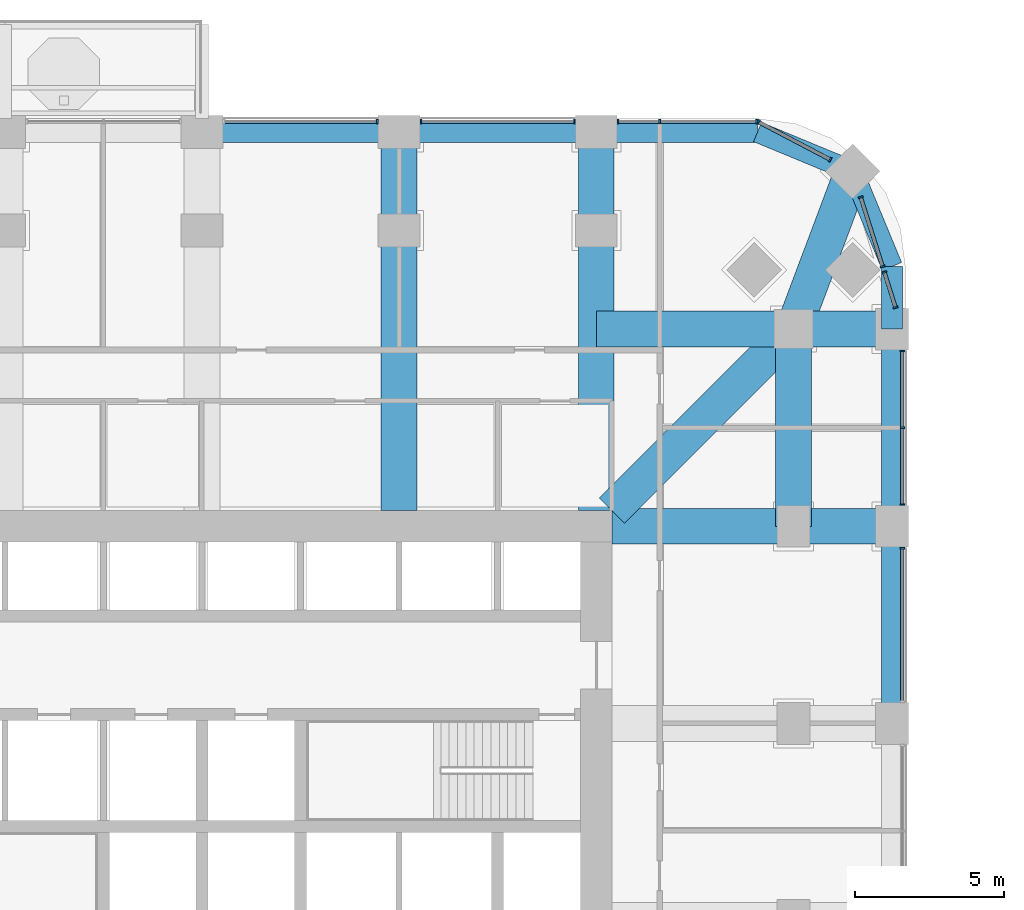
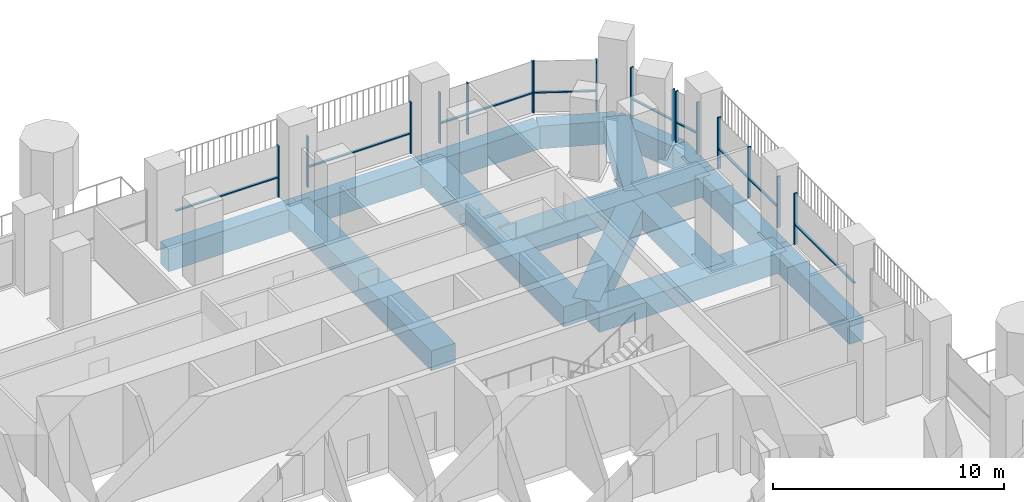
# One storey, part 7 of 21: 26 members, 16 beams, 8 elements without a shape of their own.
"""IFC4 building model written with IfcOpenShell, lengths in metres."""

from ifc_helpers import new_model, si_unit, direction, frame, origin, origin_2d, place, context, subcontext, project, spatial, rectangle, extrude, material, material_profile, profile_set, type_object, element, aggregate, save


model = new_model("IFC4")

# Units and contexts
model_context = context("Model", 3, precision=1e-05, world=origin(), true_north=direction((0.0, 1.0)))
body_context = subcontext(model_context, "Body", "Model", "MODEL_VIEW")
ifc_project = project(units=[si_unit("LENGTHUNIT", "METRE"), si_unit("AREAUNIT", "SQUARE_METRE"), si_unit("VOLUMEUNIT", "CUBIC_METRE"), si_unit("PLANEANGLEUNIT", "RADIAN"), si_unit("MASSUNIT", "GRAM", prefix="KILO")], contexts=[model_context])

# Site, building, storey
site_placement = place(None, origin())
site = spatial("IfcSite", under=ifc_project, at=site_placement, CompositionType="ELEMENT")
building_placement = place(site_placement, origin())
building = spatial("IfcBuilding", under=site, at=building_placement, Name="Cobogo Forest Laboratory Tower", CompositionType="ELEMENT")
storey_placement = place(building_placement, frame((0.0, 0.0, 115.800048828125)))
storey = spatial("IfcBuildingStorey", under=building, at=storey_placement, Name="L26", CompositionType="ELEMENT", Elevation=115.800048828125)

# Beams
ifc_material_1 = material(Name="Concrete HA-40 (C40/50)", Category="concrete")
ifc_material_profile_1 = material_profile(ifc_material_1, rectangle(XDim=1.199951171875, YDim=1.050048828125, at=origin_2d()), Name="RC 1200x1050")
ifc_profile_set_1 = profile_set([ifc_material_profile_1], Name="Concrete HA-40 (C40/50)")
beam_type_1 = type_object("IfcBeamType", Name="Laboratory floor wide beam 1200x1050", PredefinedType="BEAM", material=ifc_profile_set_1)
for number, where, z_axis, x_axis, name in (
    (1, (33.0, 33.52490234375, -0.824951171875), (0.0, 1.0, 0.0), (-1.0, 0.0, 0.0), "RB1 R-6-N L26"),
    (2, (39.60009765625, 33.52490234375, -0.824951171875), (0.0, 1.0, 0.0), (-1.0, 0.0, 0.0), "RB1 R-7-N L26"),
):
    element("IfcBeam", number, at=place(storey_placement, frame(where, z_axis=z_axis, x_axis=x_axis)), inside=storey, type_object=beam_type_1, Name=name, PredefinedType="BEAM", context=body_context, shape_type="SweptSolid", body=[
        extrude(rectangle(XDim=1.199951171875, YDim=1.050048828125, at=origin_2d()), origin(), (0.0, 0.0, 1.0), 12.675048828125),
    ])
beam_1_placement = place(storey_placement, frame((40.125, 33.0, -0.824951171875), z_axis=(1.0, 0.0, 0.0), x_axis=(0.0, 1.0, 0.0)))
element("IfcBeam", 3, at=beam_1_placement, inside=storey, type_object=beam_type_1, Name="RB1 R-F-E L26", PredefinedType="BEAM", context=body_context, shape_type="SweptSolid", body=[
    extrude(rectangle(XDim=1.199951171875, YDim=1.050048828125, at=origin_2d()), origin(), (0.0, 0.0, 1.0), 9.375),
])
beam_2_placement = place(storey_placement, frame((46.199951171875, 39.60009765625, -0.824951171875), z_axis=(0.0, -1.0, 0.0), x_axis=(1.0, 0.0, 0.0)))
element("IfcBeam", 4, at=beam_2_placement, inside=storey, type_object=beam_type_1, Name="RB1 G-NE-XC L26", PredefinedType="BEAM", context=body_context, shape_type="SweptSolid", body=[
    extrude(rectangle(XDim=1.199951171875, YDim=1.050048828125, at=origin_2d()), origin(), (0.0, 0.0, 1.0), 6.60009765625),
])
beam_3_placement = place(storey_placement, frame((49.5, 39.60009765625, -0.824951171875), z_axis=(-1.0, 0.0, 0.0), x_axis=(0.0, -1.0, 0.0)))
element("IfcBeam", 5, at=beam_3_placement, inside=storey, type_object=beam_type_1, Name="RB1 G-NE-YF L26", PredefinedType="BEAM", context=body_context, shape_type="SweptSolid", body=[
    extrude(rectangle(XDim=1.199951171875, YDim=1.050048828125, at=origin_2d()), origin(), (0.0, 0.0, 1.0), 3.300048828125),
])
beam_4_placement = place(storey_placement, frame((46.199951171875, 39.60009765625, -0.824951171875), z_axis=(-1.0, 0.0, 0.0), x_axis=(0.0, -1.0, 0.0)))
element("IfcBeam", 6, at=beam_4_placement, inside=storey, type_object=beam_type_1, Name="RB1 G-NE-YC L26", PredefinedType="BEAM", context=body_context, shape_type="SweptSolid", body=[
    extrude(rectangle(XDim=1.199951171875, YDim=1.050048828125, at=origin_2d()), origin(), (0.0, 0.0, 1.0), 6.599853515625),
])
beam_5_placement = place(storey_placement, frame((48.181884765625, 44.882080078125, -0.824951171875), z_axis=(-0.351308391925, -0.936259800356, 0.0), x_axis=(0.936259800356, -0.351308391925, 0.0)))
element("IfcBeam", 7, at=beam_5_placement, inside=storey, type_object=beam_type_1, Name="RB1 G-NE-D1 L26", PredefinedType="BEAM", context=body_context, shape_type="SweptSolid", body=[
    extrude(rectangle(XDim=1.199951171875, YDim=1.050048828125, at=origin_2d()), origin(), (0.0, 0.0, 1.0), 5.6416015625),
])
beam_6_placement = place(storey_placement, frame((46.199951171875, 39.60009765625, -0.824951171875), z_axis=(-0.707092572697, -0.70712098939, 0.0), x_axis=(0.70712098939, -0.707092572697, 0.0)))
element("IfcBeam", 8, at=beam_6_placement, inside=storey, type_object=beam_type_1, Name="RB1 G-NE-D2 L26", PredefinedType="BEAM", context=body_context, shape_type="SweptSolid", body=[
    extrude(rectangle(XDim=1.199951171875, YDim=1.050048828125, at=origin_2d()), origin(), (0.0, 0.0, 1.0), 8.591552734375),
])

# Curtain wall, member
ifc_material_2 = material(Name="Aluminium curtain wall", Category="aluminium")
curtain_wall_type = type_object("IfcCurtainWallType", Name="CW-1 unitised curtain wall, clear glazing, laboratory floors zones A and B", PredefinedType="USERDEFINED", material=ifc_material_2)
curtain_wall_1_placement = place(storey_placement, origin())
curtain_wall_1 = element("IfcCurtainWall", 9, at=curtain_wall_1_placement, inside=storey, type_object=curtain_wall_type, Name="Curtain wall 13 L26", ObjectType="UNITISED CURTAIN WALL", PredefinedType="USERDEFINED")
ifc_material_3 = material(Name="Aluminium mullion", Category="aluminium")
ifc_material_profile_2 = material_profile(ifc_material_3, rectangle(XDim=0.06005859375, YDim=0.159912109375, at=origin_2d()), Name="AL 60x160")
ifc_profile_set_2 = profile_set([ifc_material_profile_2], Name="Aluminium mullion")
member_type_1 = type_object("IfcMemberType", Name="MU-1 aluminium mullion 60x160", PredefinedType="MULLION", material=ifc_profile_set_2)
member_1_placement = place(storey_placement, frame((49.85009765625, 32.27001953125, 0.0), z_axis=(0.0, 0.0, 1.0), x_axis=(0.0, 1.0, 0.0)))
member_1 = element("IfcMember", 10, at=member_1_placement, type_object=member_type_1, Name="CW-1 mullion 2", PredefinedType="MULLION", context=body_context, shape_type="SweptSolid", body=[
    extrude(rectangle(XDim=0.06005859375, YDim=0.159912109375, at=origin_2d()), origin(), (0.0, 0.0, 1.0), 2.699951171875),
])

# Curtain wall, members
curtain_wall_2_placement = place(storey_placement, origin())
curtain_wall_2 = element("IfcCurtainWall", 11, at=curtain_wall_2_placement, inside=storey, type_object=curtain_wall_type, Name="Curtain wall 14 L26", ObjectType="UNITISED CURTAIN WALL", PredefinedType="USERDEFINED")
member_2_placement = place(storey_placement, frame((49.85009765625, 33.72998046875, 0.0), z_axis=(0.0, 0.0, 1.0), x_axis=(0.0, 1.0, 0.0)))
member_2 = element("IfcMember", 12, at=member_2_placement, type_object=member_type_1, Name="CW-1 mullion 1", PredefinedType="MULLION", context=body_context, shape_type="SweptSolid", body=[
    extrude(rectangle(XDim=0.06005859375, YDim=0.159912109375, at=origin_2d()), origin(), (0.0, 0.0, 1.0), 2.699951171875),
])
member_3_placement = place(storey_placement, frame((49.85009765625, 36.300048828125, 0.0), z_axis=(0.0, 0.0, 1.0), x_axis=(0.0, 1.0, 0.0)))
member_3 = element("IfcMember", 13, at=member_3_placement, type_object=member_type_1, Name="CW-1 mullion 2", PredefinedType="MULLION", context=body_context, shape_type="SweptSolid", body=[
    extrude(rectangle(XDim=0.06005859375, YDim=0.159912109375, at=origin_2d()), origin(), (0.0, 0.0, 1.0), 2.699951171875),
])
member_4_placement = place(storey_placement, frame((49.85009765625, 38.8701171875, 0.0), z_axis=(0.0, 0.0, 1.0), x_axis=(0.0, 1.0, 0.0)))
member_4 = element("IfcMember", 14, at=member_4_placement, type_object=member_type_1, Name="CW-1 mullion 3", PredefinedType="MULLION", context=body_context, shape_type="SweptSolid", body=[
    extrude(rectangle(XDim=0.06005859375, YDim=0.159912109375, at=origin_2d()), origin(), (0.0, 0.0, 1.0), 2.699951171875),
])

curtain_wall_3_placement = place(storey_placement, origin())
curtain_wall_3 = element("IfcCurtainWall", 15, at=curtain_wall_3_placement, inside=storey, type_object=curtain_wall_type, Name="Curtain wall 15 L26", ObjectType="UNITISED CURTAIN WALL", PredefinedType="USERDEFINED")
member_5_placement = place(storey_placement, frame((49.619873046875, 40.32861328125, 0.0), z_axis=(0.0, 0.0, 1.0), x_axis=(-0.301135356805, 0.953581405483, 0.0)))
member_5 = element("IfcMember", 16, at=member_5_placement, type_object=member_type_1, Name="CW-1 mullion 1", PredefinedType="MULLION", context=body_context, shape_type="SweptSolid", body=[
    extrude(rectangle(XDim=0.06005859375, YDim=0.159912109375, at=origin_2d()), origin(), (0.0, 0.0, 1.0), 2.699951171875),
])
member_6_placement = place(storey_placement, frame((49.247802734375, 41.507080078125, 0.0), z_axis=(0.0, 0.0, 1.0), x_axis=(-0.301135356805, 0.953581405483, 0.0)))
member_6 = element("IfcMember", 17, at=member_6_placement, type_object=member_type_1, Name="CW-1 mullion 2", PredefinedType="MULLION", context=body_context, shape_type="SweptSolid", body=[
    extrude(rectangle(XDim=0.06005859375, YDim=0.159912109375, at=origin_2d()), origin(), (0.0, 0.0, 1.0), 2.699951171875),
])

curtain_wall_4_placement = place(storey_placement, origin())
curtain_wall_4 = element("IfcCurtainWall", 18, at=curtain_wall_4_placement, inside=storey, type_object=curtain_wall_type, Name="Curtain wall 16 L26", ObjectType="UNITISED CURTAIN WALL", PredefinedType="USERDEFINED")
member_7_placement = place(storey_placement, frame((49.18701171875, 41.69970703125, 0.0), z_axis=(0.0, 0.0, 1.0), x_axis=(-0.301135291996, 0.953581425949, 0.0)))
member_7 = element("IfcMember", 19, at=member_7_placement, type_object=member_type_1, Name="CW-1 mullion 1", PredefinedType="MULLION", context=body_context, shape_type="SweptSolid", body=[
    extrude(rectangle(XDim=0.06005859375, YDim=0.159912109375, at=origin_2d()), origin(), (0.0, 0.0, 1.0), 2.699951171875),
])
member_8_placement = place(storey_placement, frame((48.455810546875, 44.01513671875, 0.0), z_axis=(0.0, 0.0, 1.0), x_axis=(-0.301135291996, 0.953581425949, 0.0)))
member_8 = element("IfcMember", 20, at=member_8_placement, type_object=member_type_1, Name="CW-1 mullion 2", PredefinedType="MULLION", context=body_context, shape_type="SweptSolid", body=[
    extrude(rectangle(XDim=0.06005859375, YDim=0.159912109375, at=origin_2d()), origin(), (0.0, 0.0, 1.0), 2.699951171875),
])

curtain_wall_5_placement = place(storey_placement, origin())
curtain_wall_5 = element("IfcCurtainWall", 21, at=curtain_wall_5_placement, inside=storey, type_object=curtain_wall_type, Name="Curtain wall 17 L26", ObjectType="UNITISED CURTAIN WALL", PredefinedType="USERDEFINED")
member_9_placement = place(storey_placement, frame((47.431640625, 45.275390625, 0.0), z_axis=(0.0, 0.0, 1.0), x_axis=(-0.885686547075, 0.464283685186, 0.0)))
member_9 = element("IfcMember", 22, at=member_9_placement, type_object=member_type_1, Name="CW-1 mullion 1", PredefinedType="MULLION", context=body_context, shape_type="SweptSolid", body=[
    extrude(rectangle(XDim=0.06005859375, YDim=0.159912109375, at=origin_2d()), origin(), (0.0, 0.0, 1.0), 2.699951171875),
])
member_10_placement = place(storey_placement, frame((45.026611328125, 46.5361328125, 0.0), z_axis=(0.0, 0.0, 1.0), x_axis=(-0.885686547075, 0.464283685186, 0.0)))
member_10 = element("IfcMember", 23, at=member_10_placement, type_object=member_type_1, Name="CW-1 mullion 2", PredefinedType="MULLION", context=body_context, shape_type="SweptSolid", body=[
    extrude(rectangle(XDim=0.06005859375, YDim=0.159912109375, at=origin_2d()), origin(), (0.0, 0.0, 1.0), 2.699951171875),
])

curtain_wall_6_placement = place(storey_placement, origin())
curtain_wall_6 = element("IfcCurtainWall", 24, at=curtain_wall_6_placement, inside=storey, type_object=curtain_wall_type, Name="Curtain wall 18 L26", ObjectType="UNITISED CURTAIN WALL", PredefinedType="USERDEFINED")
member_11_placement = place(storey_placement, frame((44.969970703125, 46.550048828125, 0.0), z_axis=(0.0, 0.0, 1.0), x_axis=(-1.0, 0.0, 0.0)))
member_11 = element("IfcMember", 25, at=member_11_placement, type_object=member_type_1, Name="CW-1 mullion 1", PredefinedType="MULLION", context=body_context, shape_type="SweptSolid", body=[
    extrude(rectangle(XDim=0.06005859375, YDim=0.159912109375, at=origin_2d()), origin(), (0.0, 0.0, 1.0), 2.699951171875),
])
member_12_placement = place(storey_placement, frame((41.72509765625, 46.550048828125, 0.0), z_axis=(0.0, 0.0, 1.0), x_axis=(-1.0, 0.0, 0.0)))
member_12 = element("IfcMember", 26, at=member_12_placement, type_object=member_type_1, Name="CW-1 mullion 2", PredefinedType="MULLION", context=body_context, shape_type="SweptSolid", body=[
    extrude(rectangle(XDim=0.06005859375, YDim=0.159912109375, at=origin_2d()), origin(), (0.0, 0.0, 1.0), 2.699951171875),
])
member_13_placement = place(storey_placement, frame((40.330078125, 46.550048828125, 0.0), z_axis=(0.0, 0.0, 1.0), x_axis=(-1.0, 0.0, 0.0)))
member_13 = element("IfcMember", 27, at=member_13_placement, type_object=member_type_1, Name="CW-1 mullion 3", PredefinedType="MULLION", context=body_context, shape_type="SweptSolid", body=[
    extrude(rectangle(XDim=0.06005859375, YDim=0.159912109375, at=origin_2d()), origin(), (0.0, 0.0, 1.0), 2.699951171875),
])

curtain_wall_7_placement = place(storey_placement, origin())
curtain_wall_7 = element("IfcCurtainWall", 28, at=curtain_wall_7_placement, inside=storey, type_object=curtain_wall_type, Name="Curtain wall 19 L26", ObjectType="UNITISED CURTAIN WALL", PredefinedType="USERDEFINED")
member_14_placement = place(storey_placement, frame((38.8701171875, 46.550048828125, 0.0), z_axis=(0.0, 0.0, 1.0), x_axis=(-1.0, 0.0, 0.0)))
member_14 = element("IfcMember", 29, at=member_14_placement, type_object=member_type_1, Name="CW-1 mullion 1", PredefinedType="MULLION", context=body_context, shape_type="SweptSolid", body=[
    extrude(rectangle(XDim=0.06005859375, YDim=0.159912109375, at=origin_2d()), origin(), (0.0, 0.0, 1.0), 2.699951171875),
])
member_15_placement = place(storey_placement, frame((33.72998046875, 46.550048828125, 0.0), z_axis=(0.0, 0.0, 1.0), x_axis=(-1.0, 0.0, 0.0)))
member_15 = element("IfcMember", 30, at=member_15_placement, type_object=member_type_1, Name="CW-1 mullion 2", PredefinedType="MULLION", context=body_context, shape_type="SweptSolid", body=[
    extrude(rectangle(XDim=0.06005859375, YDim=0.159912109375, at=origin_2d()), origin(), (0.0, 0.0, 1.0), 2.699951171875),
])

# Curtain wall, member
curtain_wall_8_placement = place(storey_placement, origin())
curtain_wall_8 = element("IfcCurtainWall", 31, at=curtain_wall_8_placement, inside=storey, type_object=curtain_wall_type, Name="Curtain wall 20 L26", ObjectType="UNITISED CURTAIN WALL", PredefinedType="USERDEFINED")
member_16_placement = place(storey_placement, frame((32.27001953125, 46.550048828125, 0.0), z_axis=(0.0, 0.0, 1.0), x_axis=(-1.0, 0.0, 0.0)))
member_16 = element("IfcMember", 32, at=member_16_placement, type_object=member_type_1, Name="CW-1 mullion 1", PredefinedType="MULLION", context=body_context, shape_type="SweptSolid", body=[
    extrude(rectangle(XDim=0.06005859375, YDim=0.159912109375, at=origin_2d()), origin(), (0.0, 0.0, 1.0), 2.699951171875),
])

# Beams
ifc_material_profile_3 = material_profile(ifc_material_1, rectangle(XDim=0.699951171875, YDim=1.199951171875, at=origin_2d()), Name="RC 700x1200")
ifc_profile_set_3 = profile_set([ifc_material_profile_3], Name="Concrete HA-40 (C40/50)")
beam_type_2 = type_object("IfcBeamType", Name="Perimeter edge beam 700x1200", PredefinedType="BEAM", material=ifc_profile_set_3)
for number, where, z_axis, x_axis, name in (
    (33, (49.5, 26.39990234375, -0.900146484375), (0.0, 1.0, 0.0), (-1.0, 0.0, 0.0), "EB1 E-E4 L26"),
    (34, (49.5, 33.0, -0.900146484375), (0.0, 1.0, 0.0), (-1.0, 0.0, 0.0), "EB1 E-E5 L26"),
    (35, (26.39990234375, 46.199951171875, -0.900146484375), (1.0, 0.0, 0.0), (0.0, 1.0, 0.0), "EB1 E-N3 L26"),
    (36, (33.0, 46.199951171875, -0.900146484375), (1.0, 0.0, 0.0), (0.0, 1.0, 0.0), "EB1 E-N4 L26"),
):
    element("IfcBeam", number, at=place(storey_placement, frame(where, z_axis=z_axis, x_axis=x_axis)), inside=storey, type_object=beam_type_2, Name=name, PredefinedType="BEAM", context=body_context, shape_type="SweptSolid", body=[
        extrude(rectangle(XDim=0.699951171875, YDim=1.199951171875, at=origin_2d()), origin(), (0.0, 0.0, 1.0), 6.60009765625),
    ])
beam_7_placement = place(storey_placement, frame((49.5, 39.60009765625, -0.900146484375), z_axis=(0.0, 1.0, 0.0), x_axis=(-1.0, 0.0, 0.0)))
element("IfcBeam", 37, at=beam_7_placement, inside=storey, type_object=beam_type_2, Name="EB1 E-NEE1 L26", PredefinedType="BEAM", context=body_context, shape_type="SweptSolid", body=[
    extrude(rectangle(XDim=0.699951171875, YDim=1.199951171875, at=origin_2d()), origin(), (0.0, 0.0, 1.0), 2.099853515625),
])
beam_8_placement = place(storey_placement, frame((49.5, 41.699951171875, -0.900146484375), z_axis=(-0.382691928466, 0.923876013265, 0.0), x_axis=(-0.923876013265, -0.382691928466, 0.0)))
element("IfcBeam", 38, at=beam_8_placement, inside=storey, type_object=beam_type_2, Name="EB1 E-NEE2 L26", PredefinedType="BEAM", context=body_context, shape_type="SweptSolid", body=[
    extrude(rectangle(XDim=0.699951171875, YDim=1.199951171875, at=origin_2d()), origin(), (0.0, 0.0, 1.0), 3.4443359375),
])
beam_9_placement = place(storey_placement, frame((39.60009765625, 46.199951171875, -0.900146484375), z_axis=(1.0, 0.0, 0.0), x_axis=(0.0, 1.0, 0.0)))
element("IfcBeam", 39, at=beam_9_placement, inside=storey, type_object=beam_type_2, Name="EB1 E-NEN1 L26", PredefinedType="BEAM", context=body_context, shape_type="SweptSolid", body=[
    extrude(rectangle(XDim=0.699951171875, YDim=1.199951171875, at=origin_2d()), origin(), (0.0, 0.0, 1.0), 5.39990234375),
])
beam_10_placement = place(storey_placement, frame((45.0, 46.199951171875, -0.900146484375), z_axis=(0.923890694089, -0.382656484822, 0.0), x_axis=(0.382656484822, 0.923890694089, 0.0)))
element("IfcBeam", 40, at=beam_10_placement, inside=storey, type_object=beam_type_2, Name="EB1 E-NEN2 L26", PredefinedType="BEAM", context=body_context, shape_type="SweptSolid", body=[
    extrude(rectangle(XDim=0.699951171875, YDim=1.199951171875, at=origin_2d()), origin(), (0.0, 0.0, 1.0), 3.444091796875),
])

# Member
ifc_material_4 = material(Name="Aluminium transom", Category="aluminium")
ifc_material_profile_4 = material_profile(ifc_material_4, rectangle(XDim=0.1201171875, YDim=0.06005859375, at=origin_2d()), Name="AL 60x120")
ifc_profile_set_4 = profile_set([ifc_material_profile_4], Name="Aluminium transom")
member_type_2 = type_object("IfcMemberType", Name="TR-1 aluminium transom 60x120", PredefinedType="USERDEFINED", material=ifc_profile_set_4)
member_17_placement = place(storey_placement, frame((49.85009765625, 27.159912109375, 1.050048828125), z_axis=(0.0, 1.0, 0.0), x_axis=(-1.0, 0.0, 0.0)))
member_17 = element("IfcMember", 41, at=member_17_placement, type_object=member_type_2, Name="CW-1 transom 1.1", ObjectType="TRANSOM", PredefinedType="USERDEFINED", context=body_context, shape_type="SweptSolid", body=[
    extrude(rectangle(XDim=0.1201171875, YDim=0.06005859375, at=origin_2d()), origin(), (0.0, 0.0, 1.0), 5.080078125),
])

aggregate(curtain_wall_1, [member_1, member_17])

member_18_placement = place(storey_placement, frame((49.85009765625, 33.760009765625, 1.050048828125), z_axis=(0.0, 1.0, 0.0), x_axis=(-1.0, 0.0, 0.0)))
member_18 = element("IfcMember", 42, at=member_18_placement, type_object=member_type_2, Name="CW-1 transom 1.1", ObjectType="TRANSOM", PredefinedType="USERDEFINED", context=body_context, shape_type="SweptSolid", body=[
    extrude(rectangle(XDim=0.1201171875, YDim=0.06005859375, at=origin_2d()), origin(), (0.0, 0.0, 1.0), 2.510009765625),
])

member_19_placement = place(storey_placement, frame((49.85009765625, 36.330078125, 1.050048828125), z_axis=(0.0, 1.0, 0.0), x_axis=(-1.0, 0.0, 0.0)))
member_19 = element("IfcMember", 43, at=member_19_placement, type_object=member_type_2, Name="CW-1 transom 2.1", ObjectType="TRANSOM", PredefinedType="USERDEFINED", context=body_context, shape_type="SweptSolid", body=[
    extrude(rectangle(XDim=0.1201171875, YDim=0.06005859375, at=origin_2d()), origin(), (0.0, 0.0, 1.0), 2.510009765625),
])

aggregate(curtain_wall_2, [member_2, member_3, member_4, member_18, member_19])

member_20_placement = place(storey_placement, frame((49.61083984375, 40.357177734375, 1.050048828125), z_axis=(-0.301051874343, 0.953607764731, 0.0), x_axis=(-0.953607764731, -0.301051874343, 0.0)))
member_20 = element("IfcMember", 44, at=member_20_placement, type_object=member_type_2, Name="CW-1 transom 1.1", ObjectType="TRANSOM", PredefinedType="USERDEFINED", context=body_context, shape_type="SweptSolid", body=[
    extrude(rectangle(XDim=0.1201171875, YDim=0.06005859375, at=origin_2d()), origin(), (0.0, 0.0, 1.0), 1.17578125),
])

aggregate(curtain_wall_3, [member_5, member_6, member_20])

member_21_placement = place(storey_placement, frame((49.177978515625, 41.728271484375, 1.050048828125), z_axis=(-0.301156039198, 0.953574873859, 0.0), x_axis=(-0.953574873859, -0.301156039198, 0.0)))
member_21 = element("IfcMember", 45, at=member_21_placement, type_object=member_type_2, Name="CW-1 transom 1.1", ObjectType="TRANSOM", PredefinedType="USERDEFINED", context=body_context, shape_type="SweptSolid", body=[
    extrude(rectangle(XDim=0.1201171875, YDim=0.06005859375, at=origin_2d()), origin(), (0.0, 0.0, 1.0), 2.367919921875),
])

aggregate(curtain_wall_4, [member_7, member_8, member_21])

member_22_placement = place(storey_placement, frame((47.405029296875, 45.289306640625, 1.050048828125), z_axis=(-0.885674922116, 0.464305860758, 0.0), x_axis=(-0.464305860758, -0.885674922116, 0.0)))
member_22 = element("IfcMember", 46, at=member_22_placement, type_object=member_type_2, Name="CW-1 transom 1.1", ObjectType="TRANSOM", PredefinedType="USERDEFINED", context=body_context, shape_type="SweptSolid", body=[
    extrude(rectangle(XDim=0.1201171875, YDim=0.06005859375, at=origin_2d()), origin(), (0.0, 0.0, 1.0), 2.6552734375),
])

aggregate(curtain_wall_5, [member_9, member_10, member_22])

member_23_placement = place(storey_placement, frame((44.93994140625, 46.550048828125, 1.050048828125), z_axis=(-1.0, 0.0, 0.0), x_axis=(0.0, -1.0, 0.0)))
member_23 = element("IfcMember", 47, at=member_23_placement, type_object=member_type_2, Name="CW-1 transom 1.1", ObjectType="TRANSOM", PredefinedType="USERDEFINED", context=body_context, shape_type="SweptSolid", body=[
    extrude(rectangle(XDim=0.1201171875, YDim=0.06005859375, at=origin_2d()), origin(), (0.0, 0.0, 1.0), 3.18505859375),
])

member_24_placement = place(storey_placement, frame((41.695068359375, 46.550048828125, 1.050048828125), z_axis=(-1.0, 0.0, 0.0), x_axis=(0.0, -1.0, 0.0)))
member_24 = element("IfcMember", 48, at=member_24_placement, type_object=member_type_2, Name="CW-1 transom 2.1", ObjectType="TRANSOM", PredefinedType="USERDEFINED", context=body_context, shape_type="SweptSolid", body=[
    extrude(rectangle(XDim=0.1201171875, YDim=0.06005859375, at=origin_2d()), origin(), (0.0, 0.0, 1.0), 1.3349609375),
])

aggregate(curtain_wall_6, [member_11, member_12, member_13, member_23, member_24])

member_25_placement = place(storey_placement, frame((38.840087890625, 46.550048828125, 1.050048828125), z_axis=(-1.0, 0.0, 0.0), x_axis=(0.0, -1.0, 0.0)))
member_25 = element("IfcMember", 49, at=member_25_placement, type_object=member_type_2, Name="CW-1 transom 1.1", ObjectType="TRANSOM", PredefinedType="USERDEFINED", context=body_context, shape_type="SweptSolid", body=[
    extrude(rectangle(XDim=0.1201171875, YDim=0.06005859375, at=origin_2d()), origin(), (0.0, 0.0, 1.0), 5.080078125),
])

aggregate(curtain_wall_7, [member_14, member_15, member_25])

member_26_placement = place(storey_placement, frame((32.239990234375, 46.550048828125, 1.050048828125), z_axis=(-1.0, 0.0, 0.0), x_axis=(0.0, -1.0, 0.0)))
member_26 = element("IfcMember", 50, at=member_26_placement, type_object=member_type_2, Name="CW-1 transom 1.1", ObjectType="TRANSOM", PredefinedType="USERDEFINED", context=body_context, shape_type="SweptSolid", body=[
    extrude(rectangle(XDim=0.1201171875, YDim=0.06005859375, at=origin_2d()), origin(), (0.0, 0.0, 1.0), 5.080078125),
])

aggregate(curtain_wall_8, [member_16, member_26])

save(model, "model.ifc")
